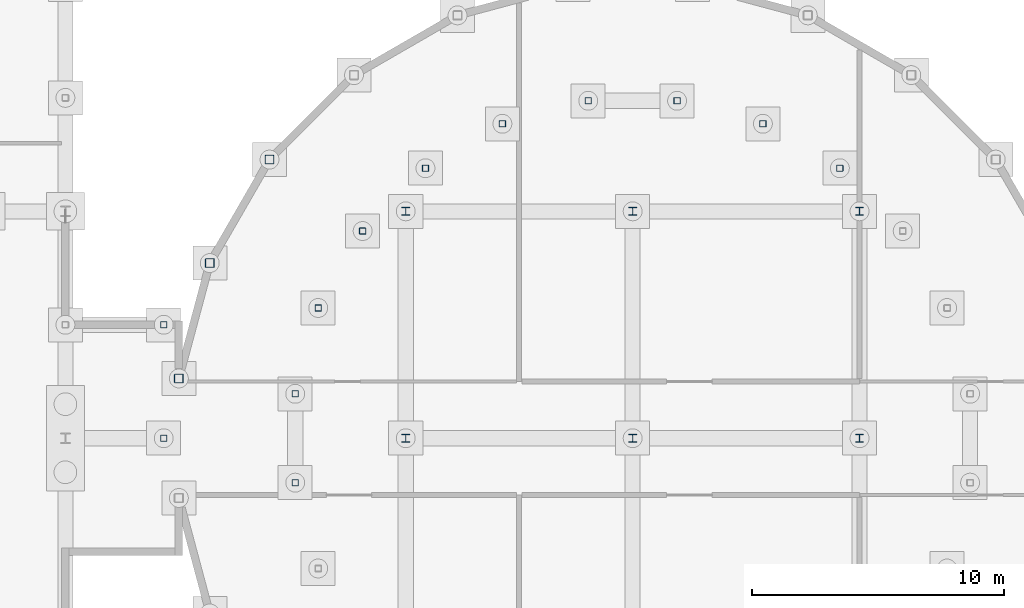
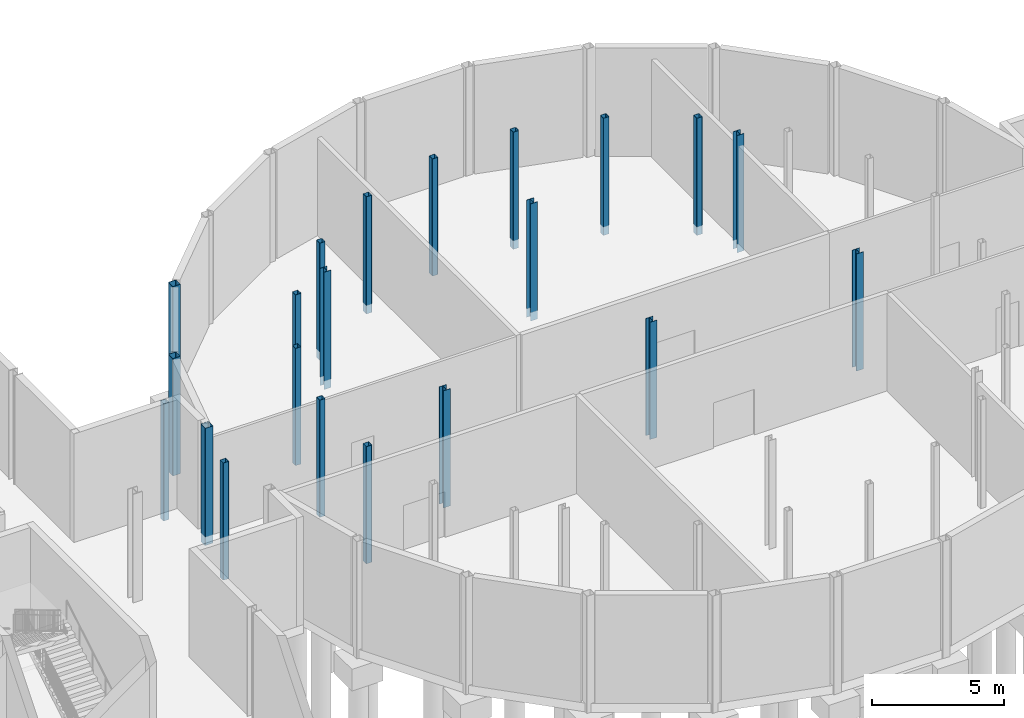
# One storey, part 8 of 25: 21 columns.
"""IFC4 building model written with IfcOpenShell, lengths in metres."""

from ifc_helpers import new_model, si_unit, direction, frame, origin, origin_2d, place, context, subcontext, project, spatial, hollow_rectangle, i_section, extrude, material, material_profile, profile_set, type_object, element, save


model = new_model("IFC4")

# Units and contexts
model_context = context("Model", 3, precision=1e-05, world=origin(), true_north=direction((0.0, 1.0)))
body_context = subcontext(model_context, "Body", "Model", "MODEL_VIEW")
ifc_project = project(units=[si_unit("LENGTHUNIT", "METRE"), si_unit("AREAUNIT", "SQUARE_METRE"), si_unit("VOLUMEUNIT", "CUBIC_METRE"), si_unit("PLANEANGLEUNIT", "RADIAN"), si_unit("MASSUNIT", "GRAM", prefix="KILO")], contexts=[model_context])

# Site, building, storey
site_placement = place(None, origin())
site = spatial("IfcSite", under=ifc_project, at=site_placement, CompositionType="ELEMENT")
building_placement = place(site_placement, origin())
building = spatial("IfcBuilding", under=site, at=building_placement, Name="Hortulan Conservatory and Botanical Research Centre", CompositionType="ELEMENT")
storey_placement = place(building_placement, frame((0.0, 0.0, -5.0)))
storey = spatial("IfcBuildingStorey", under=building, at=storey_placement, Name="B1", CompositionType="ELEMENT", Elevation=-5.0)

# Columns
ifc_material_1 = material(Name="Steel Grade 300PLUS (AS/NZS 3679.1, 280 MPa minimum yield)", Category="steel")
ifc_material_profile_1 = material_profile(ifc_material_1, i_section(OverallWidth=0.306884765625, OverallDepth=0.31494140625, WebThickness=0.011962890625, FlangeThickness=0.018798828125, FilletRadius=0.0166015625, at=origin_2d()), Name="310UC118")
ifc_profile_set_1 = profile_set([ifc_material_profile_1], Name="Steel Grade 300PLUS (AS/NZS 3679.1, 280 MPa minimum yield)")
column_type_1 = type_object("IfcColumnType", Name="Basement Column 310UC118", PredefinedType="COLUMN", material=ifc_profile_set_1)
for number, where, z_axis, x_axis, name in (
    (1, (45.0, 18.0, -0.39990234375), (0.0, 0.0, 1.0), (1.0, 0.0, 0.0), "310UC118 column"),
    (2, (45.0, 27.0, -0.39990234375), (0.0, 0.0, 1.0), (1.0, 0.0, 0.0), "310UC118 column"),
    (3, (54.0, 18.0, -0.39990234375), (0.0, 0.0, 1.0), (1.0, 0.0, 0.0), "310UC118 column"),
    (4, (54.0, 27.0, -0.39990234375), (0.0, 0.0, 1.0), (1.0, 0.0, 0.0), "310UC118 column"),
    (5, (63.0, 18.0, -0.39990234375), (0.0, 0.0, 1.0), (1.0, 0.0, 0.0), "310UC118 column"),
    (6, (63.0, 27.0, -0.39990234375), (0.0, 0.0, 1.0), (1.0, 0.0, 0.0), "310UC118 column"),
):
    element("IfcColumn", number, at=place(storey_placement, frame(where, z_axis=z_axis, x_axis=x_axis)), inside=storey, type_object=column_type_1, Name=name, PredefinedType="COLUMN", context=body_context, shape_type="SweptSolid", body=[
        extrude(i_section(OverallWidth=0.306884765625, OverallDepth=0.31494140625, WebThickness=0.011962890625, FlangeThickness=0.018798828125, FilletRadius=0.0166015625, at=origin_2d()), origin(), (0.0, 0.0, 1.0), 5.39990234375),
    ])
ifc_material_2 = material(Name="Steel Grade C450L0 (450 MPa, AS/NZS 1163)", Category="steel")
ifc_material_profile_2 = material_profile(ifc_material_2, hollow_rectangle(XDim=0.35009765625, YDim=0.35009765625, WallThickness=0.012451171875, InnerFilletRadius=0.018798828125, OuterFilletRadius=0.03125, at=origin_2d()), Name="350x350x12.5SHS")
ifc_profile_set_2 = profile_set([ifc_material_profile_2], Name="Steel Grade C450L0 (450 MPa, AS/NZS 1163)")
column_type_2 = type_object("IfcColumnType", Name="Dome Drum Column 350x350x12.5 SHS", PredefinedType="COLUMN", material=ifc_profile_set_2)
for number, where, z_axis, x_axis, name in (
    (7, (39.596435546875, 29.05224609375, -0.39990234375), (0.0, 0.0, 1.0), (1.0, 0.0, 0.0), "Dome drum column 10 B1"),
    (8, (37.226806640625, 24.94775390625, -0.39990234375), (0.0, 0.0, 1.0), (1.0, 0.0, 0.0), "Dome drum column 11 B1"),
    (9, (36.0, 20.36962890625, -0.39990234375), (0.0, 0.0, 1.0), (1.0, 0.0, 0.0), "Dome drum column 12 B1"),
):
    element("IfcColumn", number, at=place(storey_placement, frame(where, z_axis=z_axis, x_axis=x_axis)), inside=storey, type_object=column_type_2, Name=name, PredefinedType="COLUMN", context=body_context, shape_type="SweptSolid", body=[
        extrude(hollow_rectangle(XDim=0.35009765625, YDim=0.35009765625, WallThickness=0.012451171875, InnerFilletRadius=0.018798828125, OuterFilletRadius=0.03125, at=origin_2d()), origin(), (0.0, 0.0, 1.0), 5.39990234375),
    ])
ifc_material_profile_3 = material_profile(ifc_material_2, hollow_rectangle(XDim=0.25, YDim=0.25, WallThickness=0.009033203125, InnerFilletRadius=0.013427734375, OuterFilletRadius=0.0224609375, at=origin_2d()), Name="250x250x9SHS")
ifc_profile_set_3 = profile_set([ifc_material_profile_3], Name="Steel Grade C450L0 (450 MPa, AS/NZS 1163)")
column_type_3 = type_object("IfcColumnType", Name="Dome Walk Support Column 250x250x9 SHS", PredefinedType="COLUMN", material=ifc_profile_set_3)
for number, where, z_axis, x_axis, name in (
    (10, (62.21826171875, 28.710205078125, -0.39990234375), (0.0, 0.0, 1.0), (1.0, 0.0, 0.0), "Dome walk support 04 B1"),
    (11, (59.166259765625, 30.472412109375, -0.39990234375), (0.0, 0.0, 1.0), (1.0, 0.0, 0.0), "Dome walk support 05 B1"),
    (12, (55.76220703125, 31.384521484375, -0.39990234375), (0.0, 0.0, 1.0), (1.0, 0.0, 0.0), "Dome walk support 06 B1"),
    (13, (52.23779296875, 31.384521484375, -0.39990234375), (0.0, 0.0, 1.0), (1.0, 0.0, 0.0), "Dome walk support 07 B1"),
    (14, (48.833740234375, 30.472412109375, -0.39990234375), (0.0, 0.0, 1.0), (1.0, 0.0, 0.0), "Dome walk support 08 B1"),
    (15, (45.78173828125, 28.710205078125, -0.39990234375), (0.0, 0.0, 1.0), (1.0, 0.0, 0.0), "Dome walk support 09 B1"),
    (16, (43.289794921875, 26.21826171875, -0.39990234375), (0.0, 0.0, 1.0), (1.0, 0.0, 0.0), "Dome walk support 10 B1"),
    (17, (41.527587890625, 23.166259765625, -0.39990234375), (0.0, 0.0, 1.0), (1.0, 0.0, 0.0), "Dome walk support 11 B1"),
    (18, (40.615478515625, 19.76220703125, -0.39990234375), (0.0, 0.0, 1.0), (1.0, 0.0, 0.0), "Dome walk support 12 B1"),
    (19, (40.615478515625, 16.23779296875, -0.39990234375), (0.0, 0.0, 1.0), (1.0, 0.0, 0.0), "Dome walk support 13 B1"),
):
    element("IfcColumn", number, at=place(storey_placement, frame(where, z_axis=z_axis, x_axis=x_axis)), inside=storey, type_object=column_type_3, Name=name, PredefinedType="COLUMN", context=body_context, shape_type="SweptSolid", body=[
        extrude(hollow_rectangle(XDim=0.25, YDim=0.25, WallThickness=0.009033203125, InnerFilletRadius=0.013427734375, OuterFilletRadius=0.0224609375, at=origin_2d()), origin(), (0.0, 0.0, 1.0), 5.39990234375),
    ])
ifc_material_profile_4 = material_profile(ifc_material_2, hollow_rectangle(XDim=0.25, YDim=0.25, WallThickness=0.009033203125, InnerFilletRadius=0.013427734375, OuterFilletRadius=0.0224609375, at=origin_2d()), Name="250x250x9SHS")
ifc_profile_set_4 = profile_set([ifc_material_profile_4], Name="Steel Grade C450L0 (450 MPa, AS/NZS 1163)")
column_type_4 = type_object("IfcColumnType", Name="Head Link Column 250x250x9 SHS", PredefinedType="COLUMN", material=ifc_profile_set_4)
for number, where, z_axis, x_axis, name in (
    (20, (35.39990234375, 18.0, -0.39990234375), (0.0, 0.0, 1.0), (1.0, 0.0, 0.0), "Head link column C-35.4-18.0 B1"),
    (21, (35.39990234375, 22.5, -0.39990234375), (0.0, 0.0, 1.0), (1.0, 0.0, 0.0), "Head link column C-35.4-22.5 B1"),
):
    element("IfcColumn", number, at=place(storey_placement, frame(where, z_axis=z_axis, x_axis=x_axis)), inside=storey, type_object=column_type_4, Name=name, PredefinedType="COLUMN", context=body_context, shape_type="SweptSolid", body=[
        extrude(hollow_rectangle(XDim=0.25, YDim=0.25, WallThickness=0.009033203125, InnerFilletRadius=0.013427734375, OuterFilletRadius=0.0224609375, at=origin_2d()), origin(), (0.0, 0.0, 1.0), 5.39990234375),
    ])

save(model, "model.ifc")
